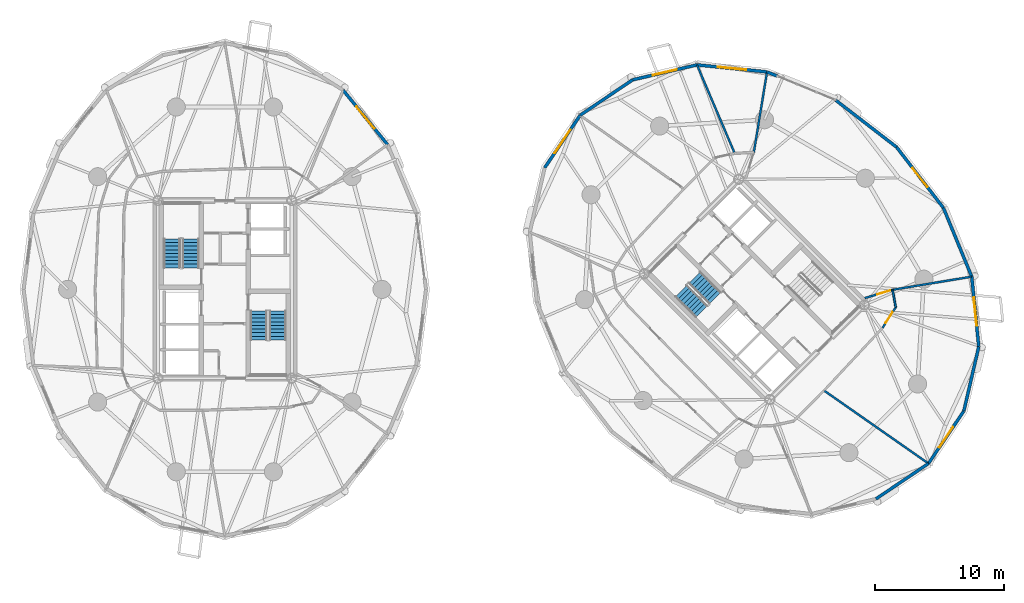
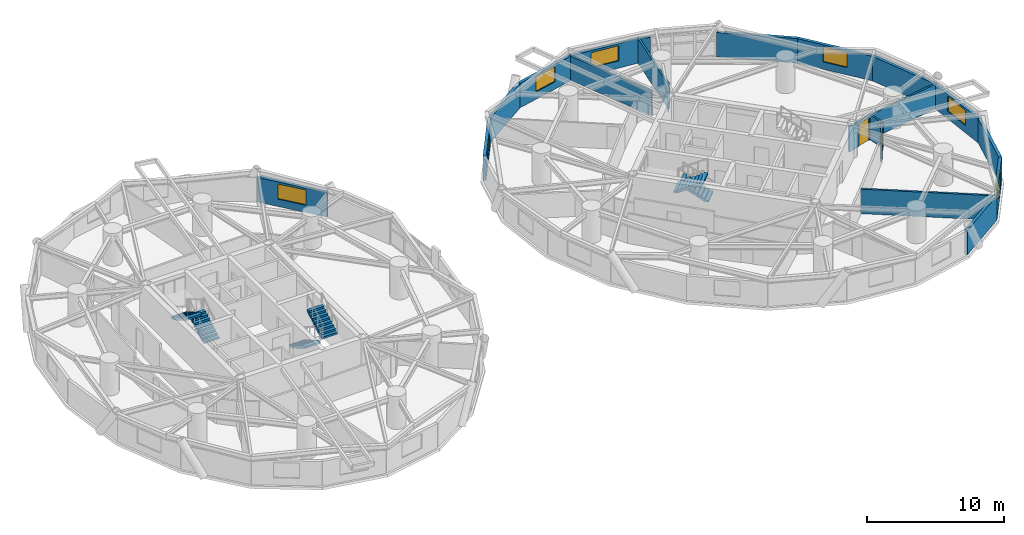
# One storey, part 14 of 17: 20 walls, 7 windows, 6 stair flights, 2 doors, 9 openings, 3 elements without a shape of their own.
"""IFC4 building model written with IfcOpenShell, lengths in metres."""

from ifc_helpers import new_model, si_unit, direction, frame, frame_2d, origin, place, context, subcontext, project, spatial, polyline, rectangle, outline, extrude, source, transform, mapped, material, layer, layer_set, type_object, element, fill, aggregate, save


model = new_model("IFC4")

# Units and contexts
model_context = context("Model", 3, precision=1e-05, world=origin(), true_north=direction((0.0, 1.0)))
body_context = subcontext(model_context, "Body", "Model", "MODEL_VIEW")
ifc_project = project(units=[si_unit("LENGTHUNIT", "METRE"), si_unit("AREAUNIT", "SQUARE_METRE"), si_unit("VOLUMEUNIT", "CUBIC_METRE"), si_unit("PLANEANGLEUNIT", "RADIAN"), si_unit("MASSUNIT", "GRAM", prefix="KILO")], contexts=[model_context])

# Site, building, storey
site_placement = place(None, origin())
site = spatial("IfcSite", under=ifc_project, at=site_placement, CompositionType="ELEMENT")
building_placement = place(site_placement, origin())
building = spatial("IfcBuilding", under=site, at=building_placement, Name="Cununo Teusaquillo Station Towers", CompositionType="ELEMENT")
storey_placement = place(building_placement, frame((0.0, 0.0, 116.7099609375)))
storey = spatial("IfcBuildingStorey", under=building, at=storey_placement, Name="L37", CompositionType="ELEMENT", Elevation=116.7099609375)

# Wall, opening, window
ifc_material_1 = material(Name="Precast concrete C40/50", Category="concrete")
ifc_layer_1 = layer(ifc_material_1, 0.239990234375)
ifc_layer_set_1 = layer_set([ifc_layer_1], Name="Precast concrete C40/50")
wall_type_1 = type_object("IfcWallType", Name="WL-EXT-240", PredefinedType="SOLIDWALL", material=ifc_layer_set_1)
wall_1_placement = place(storey_placement, frame((25.658203125, 39.927978515625, 0.0), z_axis=(0.0, 0.0, 1.0), x_axis=(0.632700781152, -0.77439635945, 0.0)))
wall_1 = element("IfcWall", 1, at=wall_1_placement, inside=storey, type_object=wall_type_1, Name="L37 Tower A Exterior Facade Wall C02", PredefinedType="SOLIDWALL", context=body_context, shape_type="SweptSolid", body=[
    extrude(rectangle(XDim=5.447998046875, YDim=0.239990234375, at=frame_2d((2.72412109375, 0.0))), origin(), (0.0, 0.0, 1.0), 2.178955078125),
])
shared_shape_1 = source(origin(), body_context, "Body", "SweptSolid", [
    extrude(rectangle(XDim=2.199951171875, YDim=1.35009765625, at=frame_2d((1.10009765625, 0.675048828125))), frame((0.0, 0.1298828125, 0.0), z_axis=(0.0, -1.0, 0.0), x_axis=(1.0, 0.0, 0.0)), (0.0, 0.0, 1.0), 0.260009765625),
])
opening_1_placement = place(wall_1_placement, frame((1.6240234375, 0.0, 0.64990234375)))
opening_1 = element("IfcOpeningElement", 2, at=opening_1_placement, cuts=wall_1, Name="Opening WN-01", PredefinedType="OPENING", context=body_context, shape_type="MappedRepresentation", body=[
    mapped(shared_shape_1, transform((0.0, 0.0, 0.0), x_axis=(1.0, 0.0, 0.0), y_axis=(0.0, 1.0, 0.0), z_axis=(0.0, 0.0, 1.0), scale=1.0)),
])
ifc_material_2 = material(Name="Ceramic-fritted dark low-E double glazing", Category="glass")
window_type_1 = type_object("IfcWindowType", Name="WIN-FRIT-2200", PartitioningType="DOUBLE_PANEL_VERTICAL", PredefinedType="WINDOW", material=ifc_material_2)
shared_shape_2 = source(origin(), body_context, "Body", "SweptSolid", [
    extrude(rectangle(XDim=2.199951171875, YDim=1.35009765625, at=frame_2d((1.10009765625, 0.675048828125))), frame((0.0, 0.030029296875, 0.0), z_axis=(0.0, -1.0, 0.0), x_axis=(1.0, 0.0, 0.0)), (0.0, 0.0, 1.0), 0.06005859375),
])
window_1_placement = place(opening_1_placement, origin())
window_1 = element("IfcWindow", 3, at=window_1_placement, inside=storey, type_object=window_type_1, Name="L37 Tower A Facade Window C02", OverallHeight=1.35009765625, OverallWidth=2.199951171875, PartitioningType="DOUBLE_PANEL_VERTICAL", PredefinedType="WINDOW", context=body_context, shape_type="MappedRepresentation", body=[
    mapped(shared_shape_2, transform((0.0, 0.0, 0.0), x_axis=(1.0, 0.0, 0.0), y_axis=(0.0, 1.0, 0.0), z_axis=(0.0, 0.0, 1.0), scale=1.0)),
])
fill(opening_1, window_1)

# Walls
wall_2_placement = place(storey_placement, frame((63.811279296875, 39.145263671875, 0.0), z_axis=(0.0, 0.0, 1.0), x_axis=(0.791982052206, -0.61054437102, 0.0)))
element("IfcWall", 4, at=wall_2_placement, inside=storey, type_object=wall_type_1, Name="L37 Tower B Exterior Facade Wall C00", PredefinedType="SOLIDWALL", context=body_context, shape_type="SweptSolid", body=[
    extrude(rectangle(XDim=5.942138671875, YDim=0.239990234375, at=frame_2d((2.97119140625, 0.0))), origin(), (0.0, 0.0, 1.0), 2.178955078125),
])
wall_3_placement = place(storey_placement, frame((58.4873046875, 41.33935546875, 0.0), z_axis=(0.0, 0.0, 1.0), x_axis=(0.924556017656, -0.381046152345, 0.0)))
element("IfcWall", 5, at=wall_3_placement, inside=storey, type_object=wall_type_1, Name="L37 Tower B Column Pier Cladding Wall C01-PA", PredefinedType="SOLIDWALL", context=body_context, shape_type="SweptSolid", body=[
    extrude(rectangle(XDim=0.8701171875, YDim=0.239990234375, at=frame_2d((0.43505859375, 0.0))), origin(), (0.0, 0.0, 1.0), 2.178955078125),
])

# Wall, opening, window
wall_4_placement = place(storey_placement, frame((53.066650390625, 41.885009765625, 0.0), z_axis=(0.0, 0.0, 1.0), x_axis=(0.994971754311, -0.10015591906, 0.0)))
wall_4 = element("IfcWall", 6, at=wall_4_placement, inside=storey, type_object=wall_type_1, Name="L37 Tower B Exterior Facade Wall C02", PredefinedType="SOLIDWALL", context=body_context, shape_type="SweptSolid", body=[
    extrude(rectangle(XDim=5.447998046875, YDim=0.239990234375, at=frame_2d((2.72412109375, 0.0))), origin(), (0.0, 0.0, 1.0), 2.178955078125),
])
opening_2_placement = place(wall_4_placement, frame((1.6240234375, 0.0, 0.64990234375)))
opening_2 = element("IfcOpeningElement", 7, at=opening_2_placement, cuts=wall_4, Name="Opening WN-01", PredefinedType="OPENING", context=body_context, shape_type="MappedRepresentation", body=[
    mapped(shared_shape_1, transform((0.0, 0.0, 0.0), x_axis=(1.0, 0.0, 0.0), y_axis=(0.0, 1.0, 0.0), z_axis=(0.0, 0.0, 1.0), scale=1.0)),
])
window_2_placement = place(opening_2_placement, origin())
window_2 = element("IfcWindow", 8, at=window_2_placement, inside=storey, type_object=window_type_1, Name="L37 Tower B Facade Window C02", OverallHeight=1.35009765625, OverallWidth=2.199951171875, PartitioningType="DOUBLE_PANEL_VERTICAL", PredefinedType="WINDOW", context=body_context, shape_type="MappedRepresentation", body=[
    mapped(shared_shape_2, transform((0.0, 0.0, 0.0), x_axis=(1.0, 0.0, 0.0), y_axis=(0.0, 1.0, 0.0), z_axis=(0.0, 0.0, 1.0), scale=1.0)),
])
fill(opening_2, window_2)

wall_5_placement = place(storey_placement, frame((48.080078125, 40.72900390625, 0.0), z_axis=(0.0, 0.0, 1.0), x_axis=(0.974165631126, 0.225834725257, 0.0)))
wall_5 = element("IfcWall", 9, at=wall_5_placement, inside=storey, type_object=wall_type_1, Name="L37 Tower B Exterior Facade Wall C03", PredefinedType="SOLIDWALL", context=body_context, shape_type="SweptSolid", body=[
    extrude(rectangle(XDim=5.118896484375, YDim=0.239990234375, at=frame_2d((2.5595703125, 0.0))), origin(), (0.0, 0.0, 1.0), 2.178955078125),
])
shared_shape_3 = source(origin(), body_context, "Body", "SweptSolid", [
    extrude(rectangle(XDim=1.89990234375, YDim=1.35009765625, at=frame_2d((0.949951171875, 0.675048828125))), frame((0.0, 0.1298828125, 0.0), z_axis=(0.0, -1.0, 0.0), x_axis=(1.0, 0.0, 0.0)), (0.0, 0.0, 1.0), 0.260009765625),
])
opening_3_placement = place(wall_5_placement, frame((1.60888671875, 0.0, 0.64990234375)))
opening_3 = element("IfcOpeningElement", 10, at=opening_3_placement, cuts=wall_5, Name="Opening WN-02", PredefinedType="OPENING", context=body_context, shape_type="MappedRepresentation", body=[
    mapped(shared_shape_3, transform((0.0, 0.0, 0.0), x_axis=(1.0, 0.0, 0.0), y_axis=(0.0, 1.0, 0.0), z_axis=(0.0, 0.0, 1.0), scale=1.0)),
])
ifc_material_3 = material(Name="Operable acoustic tinted low-E double glazing", Category="glass")
window_type_2 = type_object("IfcWindowType", Name="WIN-OPER-1900", PartitioningType="DOUBLE_PANEL_VERTICAL", PredefinedType="WINDOW", material=ifc_material_3)
shared_shape_4 = source(origin(), body_context, "Body", "SweptSolid", [
    extrude(rectangle(XDim=1.89990234375, YDim=1.35009765625, at=frame_2d((0.949951171875, 0.675048828125))), frame((0.0, 0.030029296875, 0.0), z_axis=(0.0, -1.0, 0.0), x_axis=(1.0, 0.0, 0.0)), (0.0, 0.0, 1.0), 0.06005859375),
])
window_3_placement = place(opening_3_placement, origin())
window_3 = element("IfcWindow", 11, at=window_3_placement, inside=storey, type_object=window_type_2, Name="L37 Tower B Facade Window C03", OverallHeight=1.35009765625, OverallWidth=1.89990234375, PartitioningType="DOUBLE_PANEL_VERTICAL", PredefinedType="WINDOW", context=body_context, shape_type="MappedRepresentation", body=[
    mapped(shared_shape_4, transform((0.0, 0.0, 0.0), x_axis=(1.0, 0.0, 0.0), y_axis=(0.0, 1.0, 0.0), z_axis=(0.0, 0.0, 1.0), scale=1.0)),
])
fill(opening_3, window_3)

# Wall
wall_6_placement = place(storey_placement, frame((44.015380859375, 37.984619140625, 0.0), z_axis=(0.0, 0.0, 1.0), x_axis=(0.828781148131, 0.559572880421, 0.0)))
element("IfcWall", 12, at=wall_6_placement, inside=storey, type_object=wall_type_1, Name="L37 Tower B Exterior Facade Wall C04", PredefinedType="SOLIDWALL", context=body_context, shape_type="SweptSolid", body=[
    extrude(rectangle(XDim=4.904541015625, YDim=0.239990234375, at=frame_2d((2.4521484375, 0.0))), origin(), (0.0, 0.0, 1.0), 2.178955078125),
])

# Wall, opening, window
wall_7_placement = place(storey_placement, frame((41.27099609375, 33.919921875, 0.0), z_axis=(0.0, 0.0, 1.0), x_axis=(0.559572880421, 0.828781148131, 0.0)))
wall_7 = element("IfcWall", 13, at=wall_7_placement, inside=storey, type_object=wall_type_1, Name="L37 Tower B Exterior Facade Wall C05", PredefinedType="SOLIDWALL", context=body_context, shape_type="SweptSolid", body=[
    extrude(rectangle(XDim=4.904541015625, YDim=0.239990234375, at=frame_2d((2.4521484375, 0.0))), origin(), (0.0, 0.0, 1.0), 2.178955078125),
])
opening_4_placement = place(wall_7_placement, frame((1.35205078125, 0.0, 0.64990234375)))
opening_4 = element("IfcOpeningElement", 14, at=opening_4_placement, cuts=wall_7, Name="Opening WN-01", PredefinedType="OPENING", context=body_context, shape_type="MappedRepresentation", body=[
    mapped(shared_shape_1, transform((0.0, 0.0, 0.0), x_axis=(1.0, 0.0, 0.0), y_axis=(0.0, 1.0, 0.0), z_axis=(0.0, 0.0, 1.0), scale=1.0)),
])
window_4_placement = place(opening_4_placement, origin())
window_4 = element("IfcWindow", 15, at=window_4_placement, inside=storey, type_object=window_type_1, Name="L37 Tower B Facade Window C05", OverallHeight=1.35009765625, OverallWidth=2.199951171875, PartitioningType="DOUBLE_PANEL_VERTICAL", PredefinedType="WINDOW", context=body_context, shape_type="MappedRepresentation", body=[
    mapped(shared_shape_2, transform((0.0, 0.0, 0.0), x_axis=(1.0, 0.0, 0.0), y_axis=(0.0, 1.0, 0.0), z_axis=(0.0, 0.0, 1.0), scale=1.0)),
])
fill(opening_4, window_4)

# Wall
wall_8_placement = place(storey_placement, frame((70.984619140625, 11.015380859375, 0.0), z_axis=(0.0, 0.0, 1.0), x_axis=(-0.828781148131, -0.559572880421, 0.0)))
element("IfcWall", 16, at=wall_8_placement, inside=storey, type_object=wall_type_1, Name="L37 Tower B Exterior Facade Wall C14", PredefinedType="SOLIDWALL", context=body_context, shape_type="SweptSolid", body=[
    extrude(rectangle(XDim=4.904541015625, YDim=0.239990234375, at=frame_2d((2.4521484375, 0.0))), origin(), (0.0, 0.0, 1.0), 2.178955078125),
])

# Wall, opening, window
wall_9_placement = place(storey_placement, frame((73.72900390625, 15.080078125, 0.0), z_axis=(0.0, 0.0, 1.0), x_axis=(-0.559572880421, -0.828781148131, 0.0)))
wall_9 = element("IfcWall", 17, at=wall_9_placement, inside=storey, type_object=wall_type_1, Name="L37 Tower B Exterior Facade Wall C15", PredefinedType="SOLIDWALL", context=body_context, shape_type="SweptSolid", body=[
    extrude(rectangle(XDim=4.904541015625, YDim=0.239990234375, at=frame_2d((2.4521484375, 0.0))), origin(), (0.0, 0.0, 1.0), 2.178955078125),
])
opening_5_placement = place(wall_9_placement, frame((1.501953125, 0.0, 0.64990234375)))
opening_5 = element("IfcOpeningElement", 18, at=opening_5_placement, cuts=wall_9, Name="Opening WN-02", PredefinedType="OPENING", context=body_context, shape_type="MappedRepresentation", body=[
    mapped(shared_shape_3, transform((0.0, 0.0, 0.0), x_axis=(1.0, 0.0, 0.0), y_axis=(0.0, 1.0, 0.0), z_axis=(0.0, 0.0, 1.0), scale=1.0)),
])
window_5_placement = place(opening_5_placement, origin())
window_5 = element("IfcWindow", 19, at=window_5_placement, inside=storey, type_object=window_type_2, Name="L37 Tower B Facade Window C15", OverallHeight=1.35009765625, OverallWidth=1.89990234375, PartitioningType="DOUBLE_PANEL_VERTICAL", PredefinedType="WINDOW", context=body_context, shape_type="MappedRepresentation", body=[
    mapped(shared_shape_4, transform((0.0, 0.0, 0.0), x_axis=(1.0, 0.0, 0.0), y_axis=(0.0, 1.0, 0.0), z_axis=(0.0, 0.0, 1.0), scale=1.0)),
])
fill(opening_5, window_5)

# Wall
wall_10_placement = place(storey_placement, frame((74.885009765625, 20.066650390625, 0.0), z_axis=(0.0, 0.0, 1.0), x_axis=(-0.225834725257, -0.974165631126, 0.0)))
element("IfcWall", 20, at=wall_10_placement, inside=storey, type_object=wall_type_1, Name="L37 Tower B Exterior Facade Wall C16", PredefinedType="SOLIDWALL", context=body_context, shape_type="SweptSolid", body=[
    extrude(rectangle(XDim=5.118896484375, YDim=0.239990234375, at=frame_2d((2.5595703125, 0.0))), origin(), (0.0, 0.0, 1.0), 2.178955078125),
])

# Wall, opening, window
wall_11_placement = place(storey_placement, frame((74.33935546875, 25.4873046875, 0.0), z_axis=(0.0, 0.0, 1.0), x_axis=(0.10015591906, -0.994971754311, 0.0)))
wall_11 = element("IfcWall", 21, at=wall_11_placement, inside=storey, type_object=wall_type_1, Name="L37 Tower B Exterior Facade Wall C17", PredefinedType="SOLIDWALL", context=body_context, shape_type="SweptSolid", body=[
    extrude(rectangle(XDim=5.447998046875, YDim=0.239990234375, at=frame_2d((2.72412109375, 0.0))), origin(), (0.0, 0.0, 1.0), 2.178955078125),
])
opening_6_placement = place(wall_11_placement, frame((1.6240234375, 0.0, 0.64990234375)))
opening_6 = element("IfcOpeningElement", 22, at=opening_6_placement, cuts=wall_11, Name="Opening WN-01", PredefinedType="OPENING", context=body_context, shape_type="MappedRepresentation", body=[
    mapped(shared_shape_1, transform((0.0, 0.0, 0.0), x_axis=(1.0, 0.0, 0.0), y_axis=(0.0, 1.0, 0.0), z_axis=(0.0, 0.0, 1.0), scale=1.0)),
])
window_6_placement = place(opening_6_placement, origin())
window_6 = element("IfcWindow", 23, at=window_6_placement, inside=storey, type_object=window_type_1, Name="L37 Tower B Facade Window C17", OverallHeight=1.35009765625, OverallWidth=2.199951171875, PartitioningType="DOUBLE_PANEL_VERTICAL", PredefinedType="WINDOW", context=body_context, shape_type="MappedRepresentation", body=[
    mapped(shared_shape_2, transform((0.0, 0.0, 0.0), x_axis=(1.0, 0.0, 0.0), y_axis=(0.0, 1.0, 0.0), z_axis=(0.0, 0.0, 1.0), scale=1.0)),
])
fill(opening_6, window_6)

# Wall
wall_12_placement = place(storey_placement, frame((72.145263671875, 30.811279296875, 0.0), z_axis=(0.0, 0.0, 1.0), x_axis=(0.381027003055, -0.924563909604, 0.0)))
element("IfcWall", 24, at=wall_12_placement, inside=storey, type_object=wall_type_1, Name="L37 Tower B Exterior Facade Wall C18", PredefinedType="SOLIDWALL", context=body_context, shape_type="SweptSolid", body=[
    extrude(rectangle(XDim=5.75830078125, YDim=0.239990234375, at=frame_2d((2.879150390625, 0.0))), origin(), (0.0, 0.0, 1.0), 2.178955078125),
])

# Wall, opening, window
wall_13_placement = place(storey_placement, frame((68.517333984375, 35.517333984375, 0.0), z_axis=(0.0, 0.0, 1.0), x_axis=(0.61054437102, -0.791982052206, 0.0)))
wall_13 = element("IfcWall", 25, at=wall_13_placement, inside=storey, type_object=wall_type_1, Name="L37 Tower B Exterior Facade Wall C19", PredefinedType="SOLIDWALL", context=body_context, shape_type="SweptSolid", body=[
    extrude(rectangle(XDim=5.942138671875, YDim=0.239990234375, at=frame_2d((2.97119140625, 0.0))), origin(), (0.0, 0.0, 1.0), 2.178955078125),
])
opening_7_placement = place(wall_13_placement, frame((2.02099609375, 0.0, 0.64990234375)))
opening_7 = element("IfcOpeningElement", 26, at=opening_7_placement, cuts=wall_13, Name="Opening WN-02", PredefinedType="OPENING", context=body_context, shape_type="MappedRepresentation", body=[
    mapped(shared_shape_3, transform((0.0, 0.0, 0.0), x_axis=(1.0, 0.0, 0.0), y_axis=(0.0, 1.0, 0.0), z_axis=(0.0, 0.0, 1.0), scale=1.0)),
])
window_7_placement = place(opening_7_placement, origin())
window_7 = element("IfcWindow", 27, at=window_7_placement, inside=storey, type_object=window_type_2, Name="L37 Tower B Facade Window C19", OverallHeight=1.35009765625, OverallWidth=1.89990234375, PartitioningType="DOUBLE_PANEL_VERTICAL", PredefinedType="WINDOW", context=body_context, shape_type="MappedRepresentation", body=[
    mapped(shared_shape_4, transform((0.0, 0.0, 0.0), x_axis=(1.0, 0.0, 0.0), y_axis=(0.0, 1.0, 0.0), z_axis=(0.0, 0.0, 1.0), scale=1.0)),
])
fill(opening_7, window_7)

# Wall, opening, door
ifc_material_4 = material(Name="Fire-rated gypsum plasterboard partition assembly", Category="gypsum")
ifc_layer_2 = layer(ifc_material_4, 0.14990234375)
ifc_layer_set_2 = layer_set([ifc_layer_2], Name="Fire-rated gypsum plasterboard partition assembly")
wall_type_2 = type_object("IfcWallType", Name="WL-PART-150", PredefinedType="PARTITIONING", material=ifc_layer_set_2)
wall_14_placement = place(storey_placement, frame((67.4345703125, 21.521484375, 0.0), z_axis=(0.0, 0.0, 1.0), x_axis=(0.540777197838, 0.841165870859, 0.0)))
wall_14 = element("IfcWall", 28, at=wall_14_placement, inside=storey, type_object=wall_type_2, Name="L37 Tower B Corridor Ring Wall C16", PredefinedType="PARTITIONING", context=body_context, shape_type="SweptSolid", body=[
    extrude(rectangle(XDim=1.887939453125, YDim=0.14990234375, at=frame_2d((0.94384765625, 0.0))), origin(), (0.0, 0.0, 1.0), 2.22509765625),
])
shared_shape_5 = source(origin(), body_context, "Body", "SweptSolid", [
    extrude(rectangle(XDim=1.0, YDim=2.014892578125, at=frame_2d((0.5, 1.00732421875))), frame((0.0, 0.0849609375, 0.0), z_axis=(0.0, -1.0, 0.0), x_axis=(1.0, 0.0, 0.0)), (0.0, 0.0, 1.0), 0.169921875),
])
opening_8_placement = place(wall_14_placement, frame((0.44384765625, 0.0, 0.0)))
opening_8 = element("IfcOpeningElement", 29, at=opening_8_placement, cuts=wall_14, Name="Opening D-AC1", PredefinedType="OPENING", context=body_context, shape_type="MappedRepresentation", body=[
    mapped(shared_shape_5, transform((0.0, 0.0, 0.0), x_axis=(1.0, 0.0, 0.0), y_axis=(0.0, 1.0, 0.0), z_axis=(0.0, 0.0, 1.0), scale=1.0)),
])
ifc_material_5 = material(Name="Acoustic solid-core hardwood leaf assembly", Category="wood")
door_type_1 = type_object("IfcDoorType", Name="DR-ACC-1000", OperationType="NOTDEFINED", PredefinedType="DOOR", material=ifc_material_5)
shared_shape_6 = source(origin(), body_context, "Body", "SweptSolid", [
    extrude(rectangle(XDim=1.0, YDim=2.014892578125, at=frame_2d((0.5, 1.00732421875))), frame((0.0, 0.02490234375, 0.0), z_axis=(0.0, -1.0, 0.0), x_axis=(1.0, 0.0, 0.0)), (0.0, 0.0, 1.0), 0.050048828125),
])
door_1_placement = place(opening_8_placement, origin())
door_1 = element("IfcDoor", 30, at=door_1_placement, inside=storey, type_object=door_type_1, Name="L37 Tower B Public Accessible Restroom WC Entrance Door", OperationType="SINGLE_SWING_LEFT", OverallHeight=2.014892578125, OverallWidth=1.0, PredefinedType="DOOR", context=body_context, shape_type="MappedRepresentation", body=[
    mapped(shared_shape_6, transform((0.0, 0.0, 0.0), x_axis=(1.0, 0.0, 0.0), y_axis=(0.0, 1.0, 0.0), z_axis=(0.0, 0.0, 1.0), scale=1.0)),
])
fill(opening_8, door_1)

# Walls
wall_15_placement = place(storey_placement, frame((68.45556640625, 23.109619140625, 0.0), z_axis=(0.0, 0.0, 1.0), x_axis=(-0.1772522795, 0.984165448191, 0.0)))
element("IfcWall", 31, at=wall_15_placement, inside=storey, type_object=wall_type_2, Name="L37 Tower B Corridor Ring Wall C17", PredefinedType="PARTITIONING", context=body_context, shape_type="SweptSolid", body=[
    extrude(rectangle(XDim=1.381591796875, YDim=0.14990234375, at=frame_2d((0.69091796875, 0.0))), origin(), (0.0, 0.0, 1.0), 2.22509765625),
])
ifc_material_6 = material(Name="Fire-rated gypsum plasterboard partition assembly", Category="gypsum")
ifc_layer_3 = layer(ifc_material_6, 0.159912109375)
ifc_layer_set_3 = layer_set([ifc_layer_3], Name="Fire-rated gypsum plasterboard partition assembly")
wall_type_3 = type_object("IfcWallType", Name="WL-PART-160", PredefinedType="PARTITIONING", material=ifc_layer_set_3)
wall_16_placement = place(storey_placement, frame((57.466796875, 35.111328125, 0.0), z_axis=(0.0, 0.0, 1.0), x_axis=(0.161711214096, 0.98683812413, 0.0)))
element("IfcWall", 32, at=wall_16_placement, inside=storey, type_object=wall_type_3, Name="L37 Tower B Radial Suite Partition R01", PredefinedType="PARTITIONING", context=body_context, shape_type="SweptSolid", body=[
    extrude(rectangle(XDim=6.291015625, YDim=0.159912109375, at=frame_2d((3.1455078125, 0.0))), origin(), (0.0, 0.0, 1.0), 2.178955078125),
])
wall_17_placement = place(storey_placement, frame((55.98388671875, 35.035400390625, 0.0), z_axis=(0.0, 0.0, 1.0), x_axis=(-0.392438685048, 0.919778168081, 0.0)))
element("IfcWall", 33, at=wall_17_placement, inside=storey, type_object=wall_type_3, Name="L37 Tower B Radial Suite Partition R02", PredefinedType="PARTITIONING", context=body_context, shape_type="SweptSolid", body=[
    extrude(rectangle(XDim=7.425537109375, YDim=0.159912109375, at=frame_2d((3.712890625, 0.0))), origin(), (0.0, 0.0, 1.0), 2.178955078125),
])
wall_18_placement = place(storey_placement, frame((62.902587890625, 16.66650390625, 0.0), z_axis=(0.0, 0.0, 1.0), x_axis=(0.819735047612, -0.572742919395, 0.0)))
element("IfcWall", 34, at=wall_18_placement, inside=storey, type_object=wall_type_3, Name="L37 Tower B Radial Suite Partition R05", PredefinedType="PARTITIONING", context=body_context, shape_type="SweptSolid", body=[
    extrude(rectangle(XDim=9.842041015625, YDim=0.159912109375, at=frame_2d((4.9208984375, 0.0))), origin(), (0.0, 0.0, 1.0), 2.178955078125),
])
wall_19_placement = place(storey_placement, frame((68.210693359375, 24.46923828125, 0.0), z_axis=(0.0, 0.0, 1.0), x_axis=(0.986479033329, 0.163887512651, 0.0)))
element("IfcWall", 35, at=wall_19_placement, inside=storey, type_object=wall_type_3, Name="L37 Tower B Radial Suite Partition R06", PredefinedType="PARTITIONING", context=body_context, shape_type="SweptSolid", body=[
    extrude(rectangle(XDim=6.192626953125, YDim=0.159912109375, at=frame_2d((3.09619140625, 0.0))), origin(), (0.0, 0.0, 1.0), 2.178955078125),
])

# Wall, opening, door
wall_20_placement = place(storey_placement, frame((66.055908203125, 23.828125, 0.0), z_axis=(0.0, 0.0, 1.0), x_axis=(0.958475403544, 0.285175210708, 0.0)))
wall_20 = element("IfcWall", 36, at=wall_20_placement, inside=storey, type_object=wall_type_3, Name="L37 Tower B East Salon Corridor Portal Wall SE", PredefinedType="PARTITIONING", context=body_context, shape_type="SweptSolid", body=[
    extrude(rectangle(XDim=2.248046875, YDim=0.159912109375, at=frame_2d((1.1240234375, 0.0))), origin(), (0.0, 0.0, 1.0), 2.22509765625),
])
shared_shape_7 = source(origin(), body_context, "Body", "SweptSolid", [
    extrude(rectangle(XDim=1.050048828125, YDim=2.014892578125, at=frame_2d((0.52490234375, 1.00732421875))), frame((0.0, 0.08984375, 0.0), z_axis=(0.0, -1.0, 0.0), x_axis=(1.0, 0.0, 0.0)), (0.0, 0.0, 1.0), 0.179931640625),
])
opening_9_placement = place(wall_20_placement, frame((0.998046875, 0.0, 0.0)))
opening_9 = element("IfcOpeningElement", 37, at=opening_9_placement, cuts=wall_20, Name="Opening D-SU1", PredefinedType="OPENING", context=body_context, shape_type="MappedRepresentation", body=[
    mapped(shared_shape_7, transform((0.0, 0.0, 0.0), x_axis=(1.0, 0.0, 0.0), y_axis=(0.0, 1.0, 0.0), z_axis=(0.0, 0.0, 1.0), scale=1.0)),
])
ifc_material_7 = material(Name="Acoustic solid-core hardwood leaf assembly", Category="wood")
door_type_2 = type_object("IfcDoorType", Name="DR-SUITE-1050", OperationType="NOTDEFINED", PredefinedType="DOOR", material=ifc_material_7)
shared_shape_8 = source(origin(), body_context, "Body", "SweptSolid", [
    extrude(rectangle(XDim=1.050048828125, YDim=2.014892578125, at=frame_2d((0.52490234375, 1.00732421875))), frame((0.0, 0.02490234375, 0.0), z_axis=(0.0, -1.0, 0.0), x_axis=(1.0, 0.0, 0.0)), (0.0, 0.0, 1.0), 0.050048828125),
])
door_2_placement = place(opening_9_placement, origin())
door_2 = element("IfcDoor", 38, at=door_2_placement, inside=storey, type_object=door_type_2, Name="L37 Tower B East Panorama Sky Salon Door SE", OperationType="SINGLE_SWING_RIGHT", OverallHeight=2.014892578125, OverallWidth=1.050048828125, PredefinedType="DOOR", context=body_context, shape_type="MappedRepresentation", body=[
    mapped(shared_shape_8, transform((0.0, 0.0, 0.0), x_axis=(1.0, 0.0, 0.0), y_axis=(0.0, 1.0, 0.0), z_axis=(0.0, 0.0, 1.0), scale=1.0)),
])
fill(opening_9, door_2)

# Stair, stair flights
ifc_material_8 = material(Name="Concrete C50/60", Category="concrete")
stair_type = type_object("IfcStairType", Name="ST-TWR-1300", PredefinedType="HALF_TURN_STAIR", material=ifc_material_8)
stair_1_placement = place(storey_placement, origin())
stair_1 = element("IfcStair", 39, at=stair_1_placement, inside=storey, type_object=stair_type, Name="L37 Tower A Protected Core Exit Stair 1", PredefinedType="HALF_TURN_STAIR")
ifc_material_9 = material(Name="Concrete C50/60", Category="concrete")
stair_flight_type = type_object("IfcStairFlightType", Name="SFL-TWR-1300", PredefinedType="STRAIGHT", material=ifc_material_9)
stair_flight_1_placement = place(storey_placement, frame((13.8701171875, 26.169921875, 0.0), z_axis=(0.0, 0.0, 1.0), x_axis=(0.0, 1.0, 0.0)))
stair_flight_1 = element("IfcStairFlight", 40, at=stair_flight_1_placement, type_object=stair_flight_type, Name="ST-T1-1 flight 1", NumberOfRisers=9, NumberOfTreads=8, PredefinedType="STRAIGHT", RiserHeight=0.161666667, TreadLength=0.28, context=body_context, shape_type="SweptSolid", body=[
    extrude(outline(polyline([(0.0, 0.0), (0.0, 0.16162109375), (0.280029296875, 0.16162109375), (0.280029296875, 0.3232421875), (0.56005859375, 0.3232421875), (0.56005859375, 0.485107421875), (0.840087890625, 0.485107421875), (0.840087890625, 0.646728515625), (1.1201171875, 0.646728515625), (1.1201171875, 0.808349609375), (1.39990234375, 0.808349609375), (1.39990234375, 0.969970703125), (1.679931640625, 0.969970703125), (1.679931640625, 1.131591796875), (1.9599609375, 1.131591796875), (1.9599609375, 1.293212890625), (2.239990234375, 1.293212890625), (2.239990234375, 1.455078125), (2.239990234375, 1.1201171875), (0.2998046875, 0.0), (0.0, 0.0)])), frame((0.0, 0.64990234375, 0.0), z_axis=(0.0, -1.0, 0.0), x_axis=(1.0, 0.0, 0.0)), (0.0, 0.0, 1.0), 1.300048828125),
])
stair_flight_2_placement = place(storey_placement, frame((12.409912109375, 28.409912109375, 1.455078125), z_axis=(0.0, 0.0, 1.0), x_axis=(0.0, -1.0, 0.0)))
stair_flight_2 = element("IfcStairFlight", 41, at=stair_flight_2_placement, type_object=stair_flight_type, Name="ST-T1-1 flight 2", NumberOfRisers=9, NumberOfTreads=8, PredefinedType="STRAIGHT", RiserHeight=0.161666667, TreadLength=0.28, context=body_context, shape_type="SweptSolid", body=[
    extrude(outline(polyline([(0.0, 0.0), (0.0, 0.16162109375), (0.280029296875, 0.16162109375), (0.280029296875, 0.3232421875), (0.56005859375, 0.3232421875), (0.56005859375, 0.485107421875), (0.840087890625, 0.485107421875), (0.840087890625, 0.646728515625), (1.1201171875, 0.646728515625), (1.1201171875, 0.808349609375), (1.39990234375, 0.808349609375), (1.39990234375, 0.969970703125), (1.679931640625, 0.969970703125), (1.679931640625, 1.131591796875), (1.9599609375, 1.131591796875), (1.9599609375, 1.293212890625), (2.239990234375, 1.293212890625), (2.239990234375, 1.455078125), (2.239990234375, 1.1201171875), (0.2998046875, 0.0), (0.0, 0.0)])), frame((0.0, 0.64990234375, 0.0), z_axis=(0.0, -1.0, 0.0), x_axis=(1.0, 0.0, 0.0)), (0.0, 0.0, 1.0), 1.300048828125),
])
aggregate(stair_1, [stair_flight_1, stair_flight_2])

stair_2_placement = place(storey_placement, origin())
stair_2 = element("IfcStair", 42, at=stair_2_placement, inside=storey, type_object=stair_type, Name="L37 Tower A Protected Core Exit Stair 2", PredefinedType="HALF_TURN_STAIR")
stair_flight_3_placement = place(storey_placement, frame((19.1298828125, 22.830078125, 0.0), z_axis=(0.0, 0.0, 1.0), x_axis=(0.0, -1.0, 0.0)))
stair_flight_3 = element("IfcStairFlight", 43, at=stair_flight_3_placement, type_object=stair_flight_type, Name="ST-T1-2 flight 1", NumberOfRisers=9, NumberOfTreads=8, PredefinedType="STRAIGHT", RiserHeight=0.161666667, TreadLength=0.28, context=body_context, shape_type="SweptSolid", body=[
    extrude(outline(polyline([(0.0, 0.0), (0.0, 0.16162109375), (0.280029296875, 0.16162109375), (0.280029296875, 0.3232421875), (0.56005859375, 0.3232421875), (0.56005859375, 0.485107421875), (0.840087890625, 0.485107421875), (0.840087890625, 0.646728515625), (1.1201171875, 0.646728515625), (1.1201171875, 0.808349609375), (1.39990234375, 0.808349609375), (1.39990234375, 0.969970703125), (1.679931640625, 0.969970703125), (1.679931640625, 1.131591796875), (1.9599609375, 1.131591796875), (1.9599609375, 1.293212890625), (2.239990234375, 1.293212890625), (2.239990234375, 1.455078125), (2.239990234375, 1.1201171875), (0.2998046875, 0.0), (0.0, 0.0)])), frame((0.0, 0.64990234375, 0.0), z_axis=(0.0, -1.0, 0.0), x_axis=(1.0, 0.0, 0.0)), (0.0, 0.0, 1.0), 1.300048828125),
])
stair_flight_4_placement = place(storey_placement, frame((20.590087890625, 20.590087890625, 1.455078125), z_axis=(0.0, 0.0, 1.0), x_axis=(0.0, 1.0, 0.0)))
stair_flight_4 = element("IfcStairFlight", 44, at=stair_flight_4_placement, type_object=stair_flight_type, Name="ST-T1-2 flight 2", NumberOfRisers=9, NumberOfTreads=8, PredefinedType="STRAIGHT", RiserHeight=0.161666667, TreadLength=0.28, context=body_context, shape_type="SweptSolid", body=[
    extrude(outline(polyline([(0.0, 0.0), (0.0, 0.16162109375), (0.280029296875, 0.16162109375), (0.280029296875, 0.3232421875), (0.56005859375, 0.3232421875), (0.56005859375, 0.485107421875), (0.840087890625, 0.485107421875), (0.840087890625, 0.646728515625), (1.1201171875, 0.646728515625), (1.1201171875, 0.808349609375), (1.39990234375, 0.808349609375), (1.39990234375, 0.969970703125), (1.679931640625, 0.969970703125), (1.679931640625, 1.131591796875), (1.9599609375, 1.131591796875), (1.9599609375, 1.293212890625), (2.239990234375, 1.293212890625), (2.239990234375, 1.455078125), (2.239990234375, 1.1201171875), (0.2998046875, 0.0), (0.0, 0.0)])), frame((0.0, 0.64990234375, 0.0), z_axis=(0.0, -1.0, 0.0), x_axis=(1.0, 0.0, 0.0)), (0.0, 0.0, 1.0), 1.300048828125),
])
aggregate(stair_2, [stair_flight_3, stair_flight_4])

stair_3_placement = place(storey_placement, origin())
stair_3 = element("IfcStair", 45, at=stair_3_placement, inside=storey, type_object=stair_type, Name="L37 Tower B Protected Core Exit Stair 1", PredefinedType="HALF_TURN_STAIR")
stair_flight_5_placement = place(storey_placement, frame((54.45947265625, 23.8212890625, 0.0), z_axis=(0.0, 0.0, 1.0), x_axis=(-0.707106781187, 0.707106781187, 0.0)))
stair_flight_5 = element("IfcStairFlight", 46, at=stair_flight_5_placement, type_object=stair_flight_type, Name="ST-T2-1 flight 1", NumberOfRisers=9, NumberOfTreads=8, PredefinedType="STRAIGHT", RiserHeight=0.161666667, TreadLength=0.28, context=body_context, shape_type="SweptSolid", body=[
    extrude(outline(polyline([(0.0, 0.0), (0.0, 0.16162109375), (0.280029296875, 0.16162109375), (0.280029296875, 0.3232421875), (0.56005859375, 0.3232421875), (0.56005859375, 0.485107421875), (0.840087890625, 0.485107421875), (0.840087890625, 0.646728515625), (1.1201171875, 0.646728515625), (1.1201171875, 0.808349609375), (1.39990234375, 0.808349609375), (1.39990234375, 0.969970703125), (1.679931640625, 0.969970703125), (1.679931640625, 1.131591796875), (1.9599609375, 1.131591796875), (1.9599609375, 1.293212890625), (2.239990234375, 1.293212890625), (2.239990234375, 1.455078125), (2.239990234375, 1.1201171875), (0.2998046875, 0.0), (0.0, 0.0)])), frame((0.0, 0.64990234375, 0.0), z_axis=(0.0, -1.0, 0.0), x_axis=(1.0, 0.0, 0.0)), (0.0, 0.0, 1.0), 1.300048828125),
])
stair_flight_6_placement = place(storey_placement, frame((51.84326171875, 24.372802734375, 1.455078125), z_axis=(0.0, 0.0, 1.0), x_axis=(0.707106781187, -0.707106781187, 0.0)))
stair_flight_6 = element("IfcStairFlight", 47, at=stair_flight_6_placement, type_object=stair_flight_type, Name="ST-T2-1 flight 2", NumberOfRisers=9, NumberOfTreads=8, PredefinedType="STRAIGHT", RiserHeight=0.161666667, TreadLength=0.28, context=body_context, shape_type="SweptSolid", body=[
    extrude(outline(polyline([(0.0, 0.0), (0.0, 0.16162109375), (0.280029296875, 0.16162109375), (0.280029296875, 0.3232421875), (0.56005859375, 0.3232421875), (0.56005859375, 0.485107421875), (0.840087890625, 0.485107421875), (0.840087890625, 0.646728515625), (1.1201171875, 0.646728515625), (1.1201171875, 0.808349609375), (1.39990234375, 0.808349609375), (1.39990234375, 0.969970703125), (1.679931640625, 0.969970703125), (1.679931640625, 1.131591796875), (1.9599609375, 1.131591796875), (1.9599609375, 1.293212890625), (2.239990234375, 1.293212890625), (2.239990234375, 1.455078125), (2.239990234375, 1.1201171875), (0.2998046875, 0.0), (0.0, 0.0)])), frame((0.0, 0.64990234375, 0.0), z_axis=(0.0, -1.0, 0.0), x_axis=(1.0, 0.0, 0.0)), (0.0, 0.0, 1.0), 1.300048828125),
])
aggregate(stair_3, [stair_flight_5, stair_flight_6])

save(model, "model.ifc")
